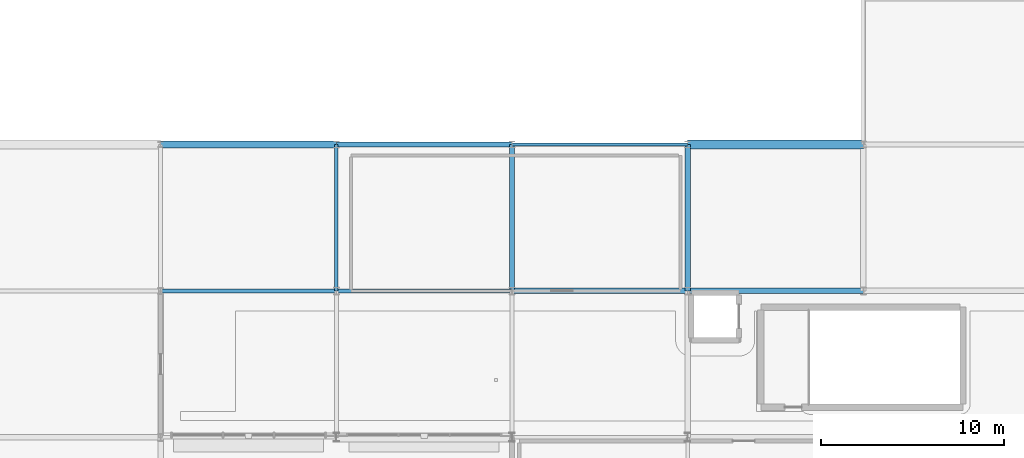
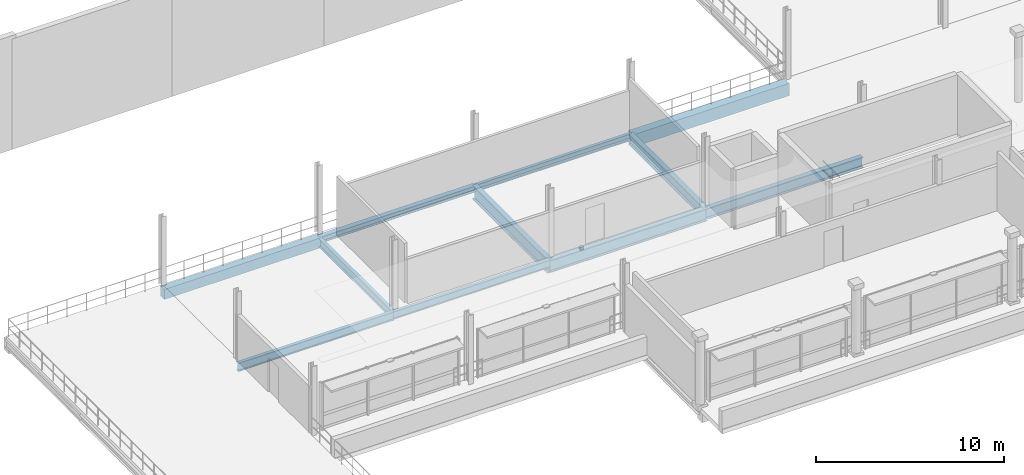
# One storey, part 31 of 59: 11 beams.
"""IFC4 building model written with IfcOpenShell, lengths in metres."""

import ifcopenshell
import ifcopenshell.guid

model = None  # the IFC model being written
_history = None  # IfcOwnerHistory: only IFC2X3 demands one
_inside = {}  # id of a spatial element -> (the spatial element, [elements in it])
_under = {}  # id of a project, library or spatial element -> (it, [spatial elements below it])
_declared = {}  # id of a project -> (the project, [libraries it declares])
_typed = {}  # id of a type object -> (the type object, [elements of that type])
_made_of = {}  # id of a material, layer set ... -> (it, [elements and type objects made of it])


def new_model(schema):
    """Start an empty IFC model of exactly this schema.

    Asked for "IFC4X3", IfcOpenShell would pick the latest addendum, in which some entities
    have other attributes; the version numbers below select the first issue.
    IFC2X3 requires an IfcOwnerHistory on every rooted entity: one is made here for all.
    """
    global model, _history
    if schema == "IFC4X3":
        model = ifcopenshell.file(schema_version=(4, 3, 0, 0))
    else:
        model = ifcopenshell.file(schema=schema)
    _inside.clear()
    _under.clear()
    _declared.clear()
    _typed.clear()
    _made_of.clear()
    _history = None
    if model.schema == "IFC2X3":
        org = make("IfcOrganization", Name="unknown")
        user = make(
            "IfcPersonAndOrganization",
            ThePerson=make("IfcPerson", FamilyName="unknown"),
            TheOrganization=org,
        )
        app = make(
            "IfcApplication",
            ApplicationDeveloper=org,
            Version="unknown",
            ApplicationFullName="unknown",
            ApplicationIdentifier="unknown",
        )
        _history = make(
            "IfcOwnerHistory",
            OwningUser=user,
            OwningApplication=app,
            ChangeAction="ADDED",
            CreationDate=0,
        )
    return model


def make(cls, **values):
    """One entity of the class cls with the attributes given. An attribute that is None is left unset."""
    return model.create_entity(
        cls, **{name: value for name, value in values.items() if value is not None}
    )


def rooted(cls, **values):
    """An entity with a GlobalId (a new one), such as an element, a storey or a relation."""
    return make(cls, GlobalId=ifcopenshell.guid.new(), OwnerHistory=_history, **values)


def si_unit(unit_type, name, prefix=None):
    """IfcSIUnit, for example si_unit("LENGTHUNIT", "METRE", prefix="MILLI")."""
    return make("IfcSIUnit", UnitType=unit_type, Prefix=prefix, Name=name)


def assignment(units):
    """IfcUnitAssignment: the units of a project."""
    return None if units is None else make("IfcUnitAssignment", Units=units)


def point(xyz):
    """IfcCartesianPoint."""
    return None if xyz is None else make("IfcCartesianPoint", Coordinates=xyz)


def direction(xyz):
    """IfcDirection."""
    return None if xyz is None else make("IfcDirection", DirectionRatios=xyz)


def frame(location, z_axis=None, x_axis=None):
    """IfcAxis2Placement3D, a coordinate frame: its origin and axes. An axis left out is left unset."""
    return make(
        "IfcAxis2Placement3D",
        Location=point(location),
        Axis=direction(z_axis),
        RefDirection=direction(x_axis),
    )


def frame_2d(location, x_axis=None):
    """IfcAxis2Placement2D, a coordinate frame in the plane: its origin and x axis."""
    return make(
        "IfcAxis2Placement2D", Location=point(location), RefDirection=direction(x_axis)
    )


def origin():
    """The frame at (0, 0, 0) with its axes left unset."""
    return frame((0.0, 0.0, 0.0))


def origin_2d():
    """The frame at (0, 0) in the plane with its x axis left unset."""
    return frame_2d((0.0, 0.0))


def place(relative_to, where):
    """IfcLocalPlacement: puts the frame where relative to a parent placement (None: the world)."""
    return make(
        "IfcLocalPlacement", PlacementRelTo=relative_to, RelativePlacement=where
    )


def context(
    kind, dimensions, precision=None, world=None, true_north=None, identifier=None
):
    """IfcGeometricRepresentationContext, for example the 3D "Model" context."""
    return make(
        "IfcGeometricRepresentationContext",
        ContextIdentifier=identifier,
        ContextType=kind,
        CoordinateSpaceDimension=dimensions,
        Precision=precision,
        WorldCoordinateSystem=world,
        TrueNorth=true_north,
    )


def subcontext(parent, identifier, kind, view, scale=None):
    """IfcGeometricRepresentationSubContext, for example "Body" below "Model"."""
    return make(
        "IfcGeometricRepresentationSubContext",
        ContextIdentifier=identifier,
        ContextType=kind,
        ParentContext=parent,
        TargetScale=scale,
        TargetView=view,
    )


def project(units=None, contexts=None):
    """IfcProject with its units and contexts."""
    return rooted(
        "IfcProject",
        Name="project",
        RepresentationContexts=contexts,
        UnitsInContext=assignment(units),
    )


def spatial(cls, under=None, at=None, **own):
    """A site, building, storey or space (cls), placed at a placement, below another one or the project."""
    s = rooted(cls, ObjectPlacement=at, **own)
    if under is not None:
        _under.setdefault(under.id(), (under, []))[1].append(s)
    return s


def profile(cls, at=None, kind="AREA", **sizes):
    """A parametric profile (cls). Its sizes go by their IFC names, for example OverallWidth=200.0."""
    return make(cls, ProfileType=kind, Position=at, **sizes)


def rectangle(**sizes):
    """IfcRectangleProfileDef."""
    return profile("IfcRectangleProfileDef", **sizes)


def i_section(**sizes):
    """IfcIShapeProfileDef."""
    return profile("IfcIShapeProfileDef", **sizes)


def extrude(swept, where, along, depth):
    """IfcExtrudedAreaSolid: the profile swept, set in the frame where, extruded along a direction by depth."""
    return make(
        "IfcExtrudedAreaSolid",
        SweptArea=swept,
        Position=where,
        ExtrudedDirection=direction(along),
        Depth=depth,
    )


def shape(context_of_items, identifier, shape_type, items):
    """IfcShapeRepresentation: the items that make up one representation, for example the "Body"."""
    return make(
        "IfcShapeRepresentation",
        ContextOfItems=context_of_items,
        RepresentationIdentifier=identifier,
        RepresentationType=shape_type,
        Items=items,
    )


def material(Name=None, Category=None):
    """IfcMaterial."""
    return make("IfcMaterial", Name=Name, Category=Category)


def material_profile(
    of_material, cross_section, Name=None, Category=None, Priority=None
):
    """IfcMaterialProfile: a cross section and its material."""
    return make(
        "IfcMaterialProfile",
        Name=Name,
        Material=of_material,
        Profile=cross_section,
        Priority=Priority,
        Category=Category,
    )


def profile_set(profiles, Name=None, composite=None):
    """IfcMaterialProfileSet."""
    return make(
        "IfcMaterialProfileSet",
        Name=Name,
        MaterialProfiles=profiles,
        CompositeProfile=composite,
    )


def made_of(thing, what):
    """Note that an element or type object is made of a material, layer set ...; save() writes the relation."""
    if what is not None:
        _made_of.setdefault(what.id(), (what, []))[1].append(thing)
    return thing


def type_object(cls, material=None, **own):
    """A type object (cls), such as IfcWallType, which elements share."""
    return made_of(rooted(cls, **own), material)


def element(
    cls,
    number,
    at=None,
    inside=None,
    cuts=None,
    type_object=None,
    material=None,
    context=None,
    identifier="Body",
    shape_type=None,
    held_by="IfcProductDefinitionShape",
    body=None,
    shapes=None,
    **own,
):
    """One element of the class cls, such as IfcWall. Its Tag is "e" and its number.

    at: its placement. inside: the storey or other place that contains it. cuts: it is an
    opening in that element (IfcRelVoidsElement). A single representation is given by context,
    identifier, shape_type and body (its items); several are given by shapes. held_by: the class
    of the entity that holds the representations. save() writes the other relations.
    """
    e = rooted(cls, Tag="e%d" % number, ObjectPlacement=at, **own)
    if body is not None:
        shapes = [shape(context, identifier, shape_type, body)]
    if shapes is not None:
        e.Representation = make(held_by, Representations=shapes)
    if inside is not None:
        _inside.setdefault(inside.id(), (inside, []))[1].append(e)
    if cuts is not None:
        rooted(
            "IfcRelVoidsElement", RelatingBuildingElement=cuts, RelatedOpeningElement=e
        )
    if type_object is not None:
        _typed.setdefault(type_object.id(), (type_object, []))[1].append(e)
    return made_of(e, material)


def aggregate(whole, parts):
    """IfcRelAggregates: a whole, such as a stair, and the parts it consists of."""
    return rooted("IfcRelAggregates", RelatingObject=whole, RelatedObjects=parts)


def save(model, path):
    """Write the relations noted so far, then the file.

    IfcRelAggregates (storeys below a building ...), IfcRelContainedInSpatialStructure (elements
    in a storey), IfcRelDefinesByType, IfcRelAssociatesMaterial and IfcRelDeclares: one each for
    every whole, place, type object, material and project.
    """
    for whole, parts in _under.values():
        aggregate(whole, parts)
    for where, things in _inside.values():
        rooted(
            "IfcRelContainedInSpatialStructure",
            RelatedElements=things,
            RelatingStructure=where,
        )
    for kind, things in _typed.values():
        rooted("IfcRelDefinesByType", RelatedObjects=things, RelatingType=kind)
    for what, things in _made_of.values():
        rooted("IfcRelAssociatesMaterial", RelatedObjects=things, RelatingMaterial=what)
    for by, libraries in _declared.values():
        rooted("IfcRelDeclares", RelatingContext=by, RelatedDefinitions=libraries)
    model.write(path)


model = new_model("IFC4")

# Units and contexts
model_context = context("Model", 3, precision=1e-05, world=origin(), true_north=direction((0.0, 1.0)))
body_context = subcontext(model_context, "Body", "Model", "MODEL_VIEW")
ifc_project = project(units=[si_unit("LENGTHUNIT", "METRE"), si_unit("AREAUNIT", "SQUARE_METRE"), si_unit("VOLUMEUNIT", "CUBIC_METRE"), si_unit("PLANEANGLEUNIT", "RADIAN"), si_unit("MASSUNIT", "GRAM", prefix="KILO")], contexts=[model_context])

# Site, building, storey
site_placement = place(None, origin())
site = spatial("IfcSite", under=ifc_project, at=site_placement, CompositionType="ELEMENT")
building_placement = place(site_placement, origin())
building = spatial("IfcBuilding", under=site, at=building_placement, Name="Danafjord Basin Convention Centre", CompositionType="ELEMENT")
storey_placement = place(building_placement, frame((0.0, 0.0, 15.89990234375)))
storey = spatial("IfcBuildingStorey", under=building, at=storey_placement, Name="L03", CompositionType="ELEMENT", Elevation=15.89990234375)

# Beams
ifc_material_1 = material(Name="Steel S355", Category="steel")
ifc_material_profile_1 = material_profile(ifc_material_1, i_section(OverallWidth=0.300048828125, OverallDepth=0.699951171875, WebThickness=0.01708984375, FlangeThickness=0.031982421875, FilletRadius=0.027099609375, at=origin_2d()), Name="HEB 700")
ifc_profile_set_1 = profile_set([ifc_material_profile_1], Name="Steel S355")
beam_type_1 = type_object("IfcBeamType", Name="BEAM-BM-HEB700", PredefinedType="BEAM", material=ifc_profile_set_1)
beam_1_placement = place(storey_placement, frame((182.39990234375, 16.0, -0.573974609375), z_axis=(1.0, 0.0, 0.0), x_axis=(0.0, 1.0, 0.0)))
element("IfcBeam", 1, at=beam_1_placement, inside=storey, type_object=beam_type_1, Name="L03 girder BM-HEB700", PredefinedType="BEAM", context=body_context, shape_type="SweptSolid", body=[
    extrude(i_section(OverallWidth=0.300048828125, OverallDepth=0.699951171875, WebThickness=0.01708984375, FlangeThickness=0.031982421875, FilletRadius=0.027099609375, at=origin_2d()), origin(), (0.0, 0.0, 1.0), 9.60009765625),
])
beam_2_placement = place(storey_placement, frame((182.39990234375, 16.0, -0.573974609375), z_axis=(0.0, 1.0, 0.0), x_axis=(-1.0, 0.0, 0.0)))
element("IfcBeam", 2, at=beam_2_placement, inside=storey, type_object=beam_type_1, Name="L03 transverse girder BM-HEB700", PredefinedType="BEAM", context=body_context, shape_type="SweptSolid", body=[
    extrude(i_section(OverallWidth=0.300048828125, OverallDepth=0.699951171875, WebThickness=0.01708984375, FlangeThickness=0.031982421875, FilletRadius=0.027099609375, at=origin_2d()), origin(), (0.0, 0.0, 1.0), 8.0),
])
ifc_material_profile_2 = material_profile(ifc_material_1, i_section(OverallWidth=0.300048828125, OverallDepth=0.800048828125, WebThickness=0.017578125, FlangeThickness=0.032958984375, FilletRadius=0.030029296875, at=origin_2d()), Name="HEB 800")
ifc_profile_set_2 = profile_set([ifc_material_profile_2], Name="Steel S355")
beam_type_2 = type_object("IfcBeamType", Name="BEAM-BM-HEB800", PredefinedType="BEAM", material=ifc_profile_set_2)
beam_3_placement = place(storey_placement, frame((172.800048828125, 16.0, -0.6240234375), z_axis=(1.0, 0.0, 0.0), x_axis=(0.0, 1.0, 0.0)))
element("IfcBeam", 3, at=beam_3_placement, inside=storey, type_object=beam_type_2, Name="L03 girder BM-HEB800", PredefinedType="BEAM", context=body_context, shape_type="SweptSolid", body=[
    extrude(i_section(OverallWidth=0.300048828125, OverallDepth=0.800048828125, WebThickness=0.017578125, FlangeThickness=0.032958984375, FilletRadius=0.030029296875, at=origin_2d()), origin(), (0.0, 0.0, 1.0), 9.599853515625),
])
ifc_material_profile_3 = material_profile(ifc_material_1, i_section(OverallWidth=0.300048828125, OverallDepth=0.89990234375, WebThickness=0.0185546875, FlangeThickness=0.034912109375, FilletRadius=0.030029296875, at=origin_2d()), Name="HEB 900")
ifc_profile_set_3 = profile_set([ifc_material_profile_3], Name="Steel S355")
beam_type_3 = type_object("IfcBeamType", Name="BEAM-BM-HEB900", PredefinedType="BEAM", material=ifc_profile_set_3)
beam_4_placement = place(storey_placement, frame((172.800048828125, 16.0, -0.673828125), z_axis=(0.0, 1.0, 0.0), x_axis=(-1.0, 0.0, 0.0)))
element("IfcBeam", 4, at=beam_4_placement, inside=storey, type_object=beam_type_3, Name="L03 transverse girder BM-HEB900", PredefinedType="BEAM", context=body_context, shape_type="SweptSolid", body=[
    extrude(i_section(OverallWidth=0.300048828125, OverallDepth=0.89990234375, WebThickness=0.0185546875, FlangeThickness=0.034912109375, FilletRadius=0.030029296875, at=origin_2d()), origin(), (0.0, 0.0, 1.0), 8.0),
])
ifc_material_profile_4 = material_profile(ifc_material_1, i_section(OverallWidth=0.199951171875, OverallDepth=0.5, WebThickness=0.01025390625, FlangeThickness=0.01611328125, FilletRadius=0.02099609375, at=origin_2d()), Name="IPE 500")
ifc_profile_set_4 = profile_set([ifc_material_profile_4], Name="Steel S355")
beam_type_4 = type_object("IfcBeamType", Name="BEAM-BM-IPE500", PredefinedType="BEAM", material=ifc_profile_set_4)
beam_5_placement = place(storey_placement, frame((163.199951171875, 16.0, -0.473876953125), z_axis=(1.0, 0.0, 0.0), x_axis=(0.0, 1.0, 0.0)))
element("IfcBeam", 5, at=beam_5_placement, inside=storey, type_object=beam_type_4, Name="L03 girder BM-IPE500", PredefinedType="BEAM", context=body_context, shape_type="SweptSolid", body=[
    extrude(i_section(OverallWidth=0.199951171875, OverallDepth=0.5, WebThickness=0.01025390625, FlangeThickness=0.01611328125, FilletRadius=0.02099609375, at=origin_2d()), origin(), (0.0, 0.0, 1.0), 9.60009765625),
])
ifc_material_profile_5 = material_profile(ifc_material_1, i_section(OverallWidth=0.2099609375, OverallDepth=0.550048828125, WebThickness=0.010986328125, FlangeThickness=0.01708984375, FilletRadius=0.02392578125, at=origin_2d()), Name="IPE 550")
ifc_profile_set_5 = profile_set([ifc_material_profile_5], Name="Steel S355")
beam_type_5 = type_object("IfcBeamType", Name="BEAM-BM-IPE550", PredefinedType="BEAM", material=ifc_profile_set_5)
beam_6_placement = place(storey_placement, frame((153.60009765625, 16.0, -0.4990234375), z_axis=(1.0, 0.0, 0.0), x_axis=(0.0, 1.0, 0.0)))
element("IfcBeam", 6, at=beam_6_placement, inside=storey, type_object=beam_type_5, Name="L03 girder BM-IPE550", PredefinedType="BEAM", context=body_context, shape_type="SweptSolid", body=[
    extrude(i_section(OverallWidth=0.2099609375, OverallDepth=0.550048828125, WebThickness=0.010986328125, FlangeThickness=0.01708984375, FilletRadius=0.02392578125, at=origin_2d()), origin(), (0.0, 0.0, 1.0), 9.599853515625),
])
beam_7_placement = place(storey_placement, frame((163.199951171875, 16.0, -0.4990234375), z_axis=(0.0, 1.0, 0.0), x_axis=(-1.0, 0.0, 0.0)))
element("IfcBeam", 7, at=beam_7_placement, inside=storey, type_object=beam_type_5, Name="L03 transverse girder BM-IPE550", PredefinedType="BEAM", context=body_context, shape_type="SweptSolid", body=[
    extrude(i_section(OverallWidth=0.2099609375, OverallDepth=0.550048828125, WebThickness=0.010986328125, FlangeThickness=0.01708984375, FilletRadius=0.02392578125, at=origin_2d()), origin(), (0.0, 0.0, 1.0), 8.0),
])
ifc_material_profile_6 = material_profile(ifc_material_1, i_section(OverallWidth=0.300048828125, OverallDepth=0.39990234375, WebThickness=0.013427734375, FlangeThickness=0.02392578125, FilletRadius=0.027099609375, at=origin_2d()), Name="HEB 400")
ifc_profile_set_6 = profile_set([ifc_material_profile_6], Name="Steel S355")
beam_type_6 = type_object("IfcBeamType", Name="BEAM-SP-HEB400", PredefinedType="SPANDREL", material=ifc_profile_set_6)
beam_8_placement = place(storey_placement, frame((163.199951171875, 24.0, -0.423828125), z_axis=(1.0, 0.0, 0.0), x_axis=(0.0, 1.0, 0.0)))
element("IfcBeam", 8, at=beam_8_placement, inside=storey, type_object=beam_type_6, Name="L03 girder SP-HEB400", PredefinedType="SPANDREL", context=body_context, shape_type="SweptSolid", body=[
    extrude(i_section(OverallWidth=0.300048828125, OverallDepth=0.39990234375, WebThickness=0.013427734375, FlangeThickness=0.02392578125, FilletRadius=0.027099609375, at=origin_2d()), origin(), (0.0, 0.0, 1.0), 9.60009765625),
])
ifc_material_profile_7 = material_profile(ifc_material_1, i_section(OverallWidth=0.18994140625, OverallDepth=0.449951171875, WebThickness=0.009521484375, FlangeThickness=0.0146484375, FilletRadius=0.02099609375, at=origin_2d()), Name="IPE 450")
ifc_profile_set_7 = profile_set([ifc_material_profile_7], Name="Steel S355")
beam_type_7 = type_object("IfcBeamType", Name="BEAM-SP-IPE450", PredefinedType="SPANDREL", material=ifc_profile_set_7)
beam_9_placement = place(storey_placement, frame((172.800048828125, 24.0, -0.448974609375), z_axis=(1.0, 0.0, 0.0), x_axis=(0.0, 1.0, 0.0)))
element("IfcBeam", 9, at=beam_9_placement, inside=storey, type_object=beam_type_7, Name="L03 girder SP-IPE450", PredefinedType="SPANDREL", context=body_context, shape_type="SweptSolid", body=[
    extrude(i_section(OverallWidth=0.18994140625, OverallDepth=0.449951171875, WebThickness=0.009521484375, FlangeThickness=0.0146484375, FilletRadius=0.02099609375, at=origin_2d()), origin(), (0.0, 0.0, 1.0), 9.599853515625),
])
ifc_material_2 = material(Name="Precast concrete C45/55", Category="concrete")
ifc_material_profile_8 = material_profile(ifc_material_2, rectangle(XDim=0.39990234375, YDim=0.64990234375, at=origin_2d()), Name="PCB 400x650")
ifc_profile_set_8 = profile_set([ifc_material_profile_8], Name="Precast concrete C45/55")
beam_type_8 = type_object("IfcBeamType", Name="BEAM-SP-PCB650", PredefinedType="SPANDREL", material=ifc_profile_set_8)
beam_10_placement = place(storey_placement, frame((153.60009765625, 24.0, -0.548828125), z_axis=(1.0, 0.0, 0.0), x_axis=(0.0, 1.0, 0.0)))
element("IfcBeam", 10, at=beam_10_placement, inside=storey, type_object=beam_type_8, Name="L03 girder SP-PCB650", PredefinedType="SPANDREL", context=body_context, shape_type="SweptSolid", body=[
    extrude(rectangle(XDim=0.39990234375, YDim=0.64990234375, at=origin_2d()), origin(), (0.0, 0.0, 1.0), 9.599853515625),
])
ifc_material_profile_9 = material_profile(ifc_material_2, rectangle(XDim=0.5, YDim=0.800048828125, at=origin_2d()), Name="PCB 500x800")
ifc_profile_set_9 = profile_set([ifc_material_profile_9], Name="Precast concrete C45/55")
beam_type_9 = type_object("IfcBeamType", Name="BEAM-SP-PCB800", PredefinedType="SPANDREL", material=ifc_profile_set_9)
beam_11_placement = place(storey_placement, frame((182.39990234375, 24.0, -0.6240234375), z_axis=(1.0, 0.0, 0.0), x_axis=(0.0, 1.0, 0.0)))
element("IfcBeam", 11, at=beam_11_placement, inside=storey, type_object=beam_type_9, Name="L03 girder SP-PCB800", PredefinedType="SPANDREL", context=body_context, shape_type="SweptSolid", body=[
    extrude(rectangle(XDim=0.5, YDim=0.800048828125, at=origin_2d()), origin(), (0.0, 0.0, 1.0), 9.60009765625),
])

save(model, "model.ifc")
